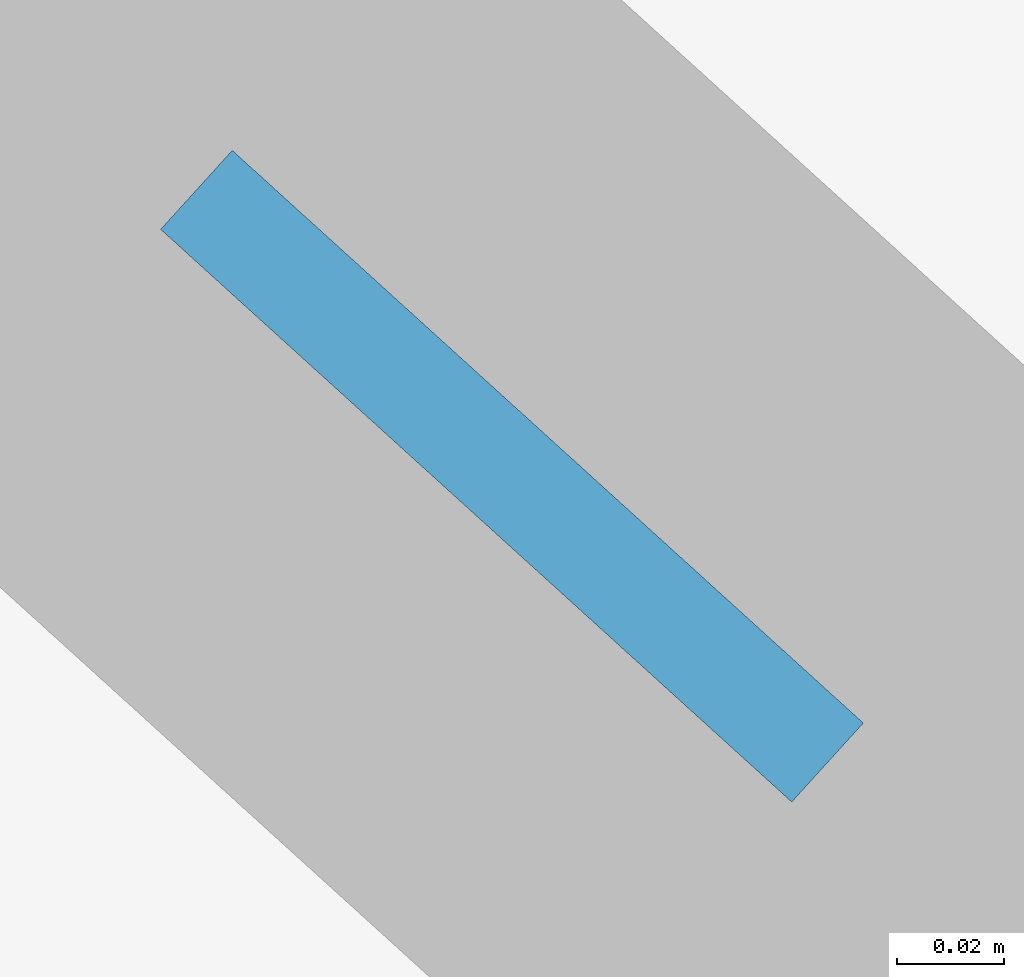
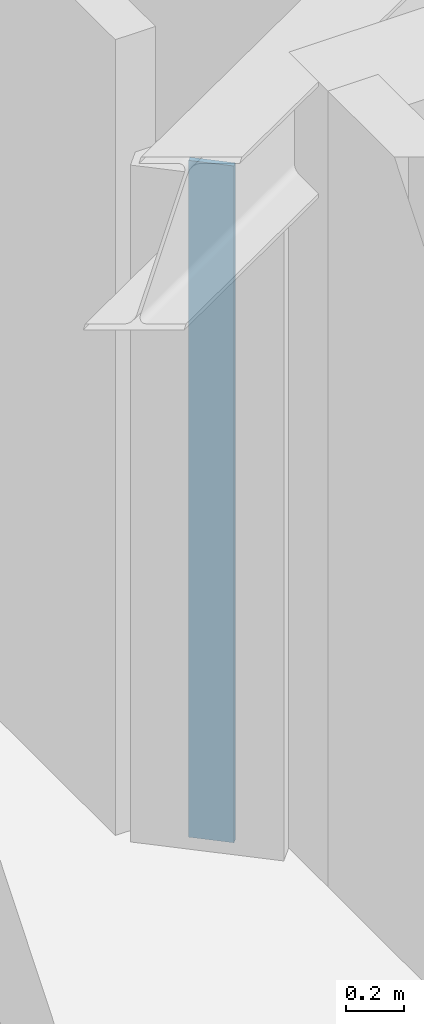
# One storey, part 2 of 9: 1 plate.
"""IFC4 building model written with IfcOpenShell, lengths in metres."""

from ifc_helpers import new_model, si_unit, direction, frame, origin, origin_2d, place, context, subcontext, project, spatial, rectangle, extrude, material, layer, layer_set, type_object, element, save


model = new_model("IFC4")

# Units and contexts
model_context = context("Model", 3, precision=1e-05, world=origin(), true_north=direction((0.0, 1.0)))
body_context = subcontext(model_context, "Body", "Model", "MODEL_VIEW")
ifc_project = project(units=[si_unit("LENGTHUNIT", "METRE"), si_unit("AREAUNIT", "SQUARE_METRE"), si_unit("VOLUMEUNIT", "CUBIC_METRE"), si_unit("PLANEANGLEUNIT", "RADIAN"), si_unit("MASSUNIT", "GRAM", prefix="KILO")], contexts=[model_context])

# Site, building, storey
site_placement = place(None, origin())
site = spatial("IfcSite", under=ifc_project, at=site_placement, CompositionType="ELEMENT")
building_placement = place(site_placement, origin())
building = spatial("IfcBuilding", under=site, at=building_placement, Name="Miruveldt Soraemaru", CompositionType="ELEMENT")
storey_placement = place(building_placement, frame((0.0, 0.0, 194.39990234375)))
storey = spatial("IfcBuildingStorey", under=building, at=storey_placement, Name="L53", CompositionType="ELEMENT", Elevation=194.39990234375)

# Plate
ifc_material = material(Name="Anodised aluminium EN AW-6063 T6", Category="aluminium")
ifc_layer = layer(ifc_material, 0.02001953125, Name="Anodised aluminium EN AW-6063 T6", Category="aluminium")
ifc_layer_set = layer_set([ifc_layer], Name="Anodised aluminium EN AW-6063 T6")
plate_type = type_object("IfcPlateType", Name="PLT-PART-TRIM", PredefinedType="SHEET", material=ifc_layer_set)
plate_placement = place(storey_placement, frame((35.14990234375, 52.87158203125, 0.0), z_axis=(0.0, 0.0, 1.0), x_axis=(0.74057007644, -0.671979137981, 0.0)))
element("IfcPlate", 1, at=plate_placement, inside=storey, type_object=plate_type, Name="L53 Partition Step Corner Trim Plate 001", PredefinedType="SHEET", context=body_context, shape_type="SweptSolid", body=[
    extrude(rectangle(XDim=0.159912109375, YDim=0.02001953125, at=origin_2d()), origin(), (0.0, 0.0, 1.0), 2.844970703125),
])

save(model, "model.ifc")
